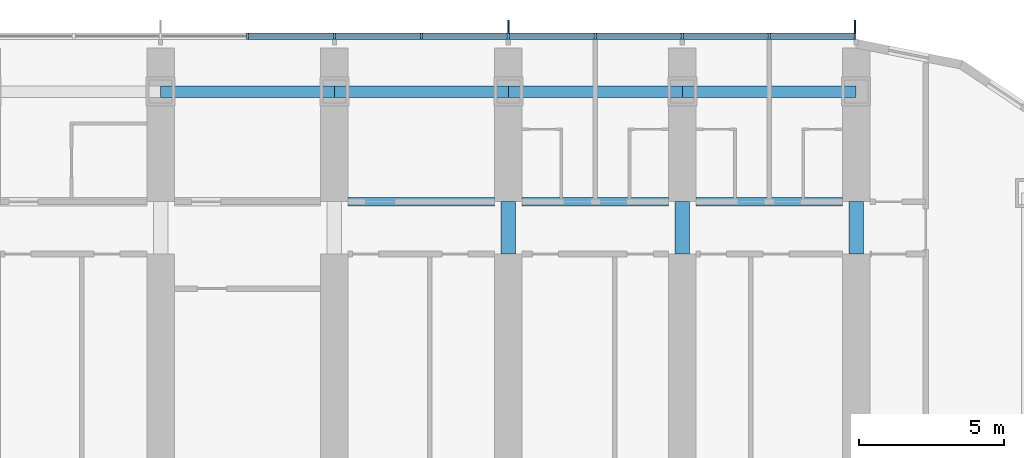
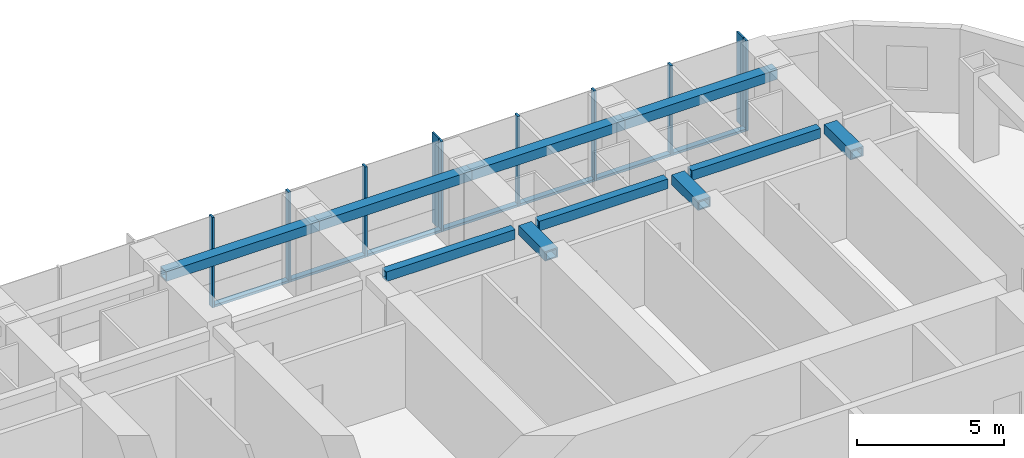
# One storey, part 5 of 21: 17 members, 10 beams, 1 element without a shape of its own.
"""IFC4 building model written with IfcOpenShell, lengths in metres."""

from ifc_helpers import new_model, si_unit, direction, frame, origin, origin_2d, place, context, subcontext, project, spatial, rectangle, hollow_rectangle, extrude, material, material_profile, profile_set, type_object, element, aggregate, save


model = new_model("IFC4")

# Units and contexts
model_context = context("Model", 3, precision=1e-05, world=origin(), true_north=direction((0.0, 1.0)))
body_context = subcontext(model_context, "Body", "Model", "MODEL_VIEW")
ifc_project = project(units=[si_unit("LENGTHUNIT", "METRE"), si_unit("AREAUNIT", "SQUARE_METRE"), si_unit("VOLUMEUNIT", "CUBIC_METRE"), si_unit("PLANEANGLEUNIT", "RADIAN"), si_unit("MASSUNIT", "GRAM", prefix="KILO")], contexts=[model_context])

# Site, building, storey
site_placement = place(None, origin())
site = spatial("IfcSite", under=ifc_project, at=site_placement, CompositionType="ELEMENT")
building_placement = place(site_placement, origin())
building = spatial("IfcBuilding", under=site, at=building_placement, Name="Orbita Commons", CompositionType="ELEMENT")
storey_placement = place(building_placement, frame((0.0, 0.0, 88.14990234375)))
storey = spatial("IfcBuildingStorey", under=building, at=storey_placement, Name="L21", CompositionType="ELEMENT", Elevation=88.14990234375)

# Curtain wall, members
ifc_material_1 = material(Name="Anodised aluminium frame, pale silver", Category="aluminium")
curtain_wall_type = type_object("IfcCurtainWallType", Name="Unitised curtain wall CW-T, vision and spandrel", PredefinedType="NOTDEFINED", material=ifc_material_1)
curtain_wall_placement = place(storey_placement, origin())
curtain_wall = element("IfcCurtainWall", 1, at=curtain_wall_placement, inside=storey, type_object=curtain_wall_type, Name="Curtain wall north L21", PredefinedType="NOTDEFINED")
ifc_material_2 = material(Name="Anodised aluminium, pale silver", Category="aluminium")
ifc_material_profile_1 = material_profile(ifc_material_2, rectangle(XDim=0.080078125, YDim=0.219970703125, at=origin_2d()), Name="AL 80x220")
ifc_profile_set_1 = profile_set([ifc_material_profile_1], Name="Anodised aluminium, pale silver")
member_type_1 = type_object("IfcMemberType", Name="Curtain wall mullion 80x220", PredefinedType="MULLION", material=ifc_profile_set_1)
member_1_placement = place(storey_placement, frame((65.9599609375, 55.510009765625, -0.25), z_axis=(0.0, 0.0, 1.0), x_axis=(-1.0, 0.0, 0.0)))
member_1 = element("IfcMember", 2, at=member_1_placement, type_object=member_type_1, Name="Mullion 1 CW-L21-N", PredefinedType="MULLION", context=body_context, shape_type="SweptSolid", body=[
    extrude(rectangle(XDim=0.080078125, YDim=0.219970703125, at=origin_2d()), origin(), (0.0, 0.0, 1.0), 3.75),
])
member_2_placement = place(storey_placement, frame((63.0, 55.510009765625, -0.25), z_axis=(0.0, 0.0, 1.0), x_axis=(-1.0, 0.0, 0.0)))
member_2 = element("IfcMember", 3, at=member_2_placement, type_object=member_type_1, Name="Mullion 2 CW-L21-N", PredefinedType="MULLION", context=body_context, shape_type="SweptSolid", body=[
    extrude(rectangle(XDim=0.080078125, YDim=0.219970703125, at=origin_2d()), origin(), (0.0, 0.0, 1.0), 3.75),
])
member_3_placement = place(storey_placement, frame((60.0, 55.510009765625, -0.25), z_axis=(0.0, 0.0, 1.0), x_axis=(-1.0, 0.0, 0.0)))
member_3 = element("IfcMember", 4, at=member_3_placement, type_object=member_type_1, Name="Mullion 3 CW-L21-N", PredefinedType="MULLION", context=body_context, shape_type="SweptSolid", body=[
    extrude(rectangle(XDim=0.080078125, YDim=0.219970703125, at=origin_2d()), origin(), (0.0, 0.0, 1.0), 3.75),
])
member_4_placement = place(storey_placement, frame((57.0, 55.510009765625, -0.25), z_axis=(0.0, 0.0, 1.0), x_axis=(-1.0, 0.0, 0.0)))
member_4 = element("IfcMember", 5, at=member_4_placement, type_object=member_type_1, Name="Mullion 4 CW-L21-N", PredefinedType="MULLION", context=body_context, shape_type="SweptSolid", body=[
    extrude(rectangle(XDim=0.080078125, YDim=0.219970703125, at=origin_2d()), origin(), (0.0, 0.0, 1.0), 3.75),
])
member_5_placement = place(storey_placement, frame((54.0, 55.510009765625, -0.25), z_axis=(0.0, 0.0, 1.0), x_axis=(-1.0, 0.0, 0.0)))
member_5 = element("IfcMember", 6, at=member_5_placement, type_object=member_type_1, Name="Mullion 5 CW-L21-N", PredefinedType="MULLION", context=body_context, shape_type="SweptSolid", body=[
    extrude(rectangle(XDim=0.080078125, YDim=0.219970703125, at=origin_2d()), origin(), (0.0, 0.0, 1.0), 3.75),
])
member_6_placement = place(storey_placement, frame((51.0, 55.510009765625, -0.25), z_axis=(0.0, 0.0, 1.0), x_axis=(-1.0, 0.0, 0.0)))
member_6 = element("IfcMember", 7, at=member_6_placement, type_object=member_type_1, Name="Mullion 6 CW-L21-N", PredefinedType="MULLION", context=body_context, shape_type="SweptSolid", body=[
    extrude(rectangle(XDim=0.080078125, YDim=0.219970703125, at=origin_2d()), origin(), (0.0, 0.0, 1.0), 3.75),
])
member_7_placement = place(storey_placement, frame((48.0, 55.510009765625, -0.25), z_axis=(0.0, 0.0, 1.0), x_axis=(-1.0, 0.0, 0.0)))
member_7 = element("IfcMember", 8, at=member_7_placement, type_object=member_type_1, Name="Mullion 7 CW-L21-N", PredefinedType="MULLION", context=body_context, shape_type="SweptSolid", body=[
    extrude(rectangle(XDim=0.080078125, YDim=0.219970703125, at=origin_2d()), origin(), (0.0, 0.0, 1.0), 3.75),
])
member_8_placement = place(storey_placement, frame((45.0, 55.510009765625, -0.25), z_axis=(0.0, 0.0, 1.0), x_axis=(-1.0, 0.0, 0.0)))
member_8 = element("IfcMember", 9, at=member_8_placement, type_object=member_type_1, Name="Mullion 8 CW-L21-N", PredefinedType="MULLION", context=body_context, shape_type="SweptSolid", body=[
    extrude(rectangle(XDim=0.080078125, YDim=0.219970703125, at=origin_2d()), origin(), (0.0, 0.0, 1.0), 3.75),
])
ifc_material_3 = material(Name="Anodised aluminium, pale silver", Category="aluminium")
ifc_material_profile_2 = material_profile(ifc_material_3, rectangle(XDim=0.219970703125, YDim=0.10009765625, at=origin_2d()), Name="AL 220x100")
ifc_profile_set_2 = profile_set([ifc_material_profile_2], Name="Anodised aluminium, pale silver")
member_type_2 = type_object("IfcMemberType", Name="Curtain wall stack transom 220x100", PredefinedType="USERDEFINED", material=ifc_profile_set_2)
member_9_placement = place(storey_placement, frame((65.919921875, 55.510009765625, -0.199951171875), z_axis=(-1.0, 0.0, 0.0), x_axis=(0.0, -1.0, 0.0)))
member_9 = element("IfcMember", 10, at=member_9_placement, type_object=member_type_2, Name="Transom 1.1 CW-L21-N", ObjectType="TRANSOM", PredefinedType="USERDEFINED", context=body_context, shape_type="SweptSolid", body=[
    extrude(rectangle(XDim=0.219970703125, YDim=0.10009765625, at=origin_2d()), origin(), (0.0, 0.0, 1.0), 2.8798828125),
])
member_10_placement = place(storey_placement, frame((62.9599609375, 55.510009765625, -0.199951171875), z_axis=(-1.0, 0.0, 0.0), x_axis=(0.0, -1.0, 0.0)))
member_10 = element("IfcMember", 11, at=member_10_placement, type_object=member_type_2, Name="Transom 2.1 CW-L21-N", ObjectType="TRANSOM", PredefinedType="USERDEFINED", context=body_context, shape_type="SweptSolid", body=[
    extrude(rectangle(XDim=0.219970703125, YDim=0.10009765625, at=origin_2d()), origin(), (0.0, 0.0, 1.0), 2.919921875),
])
member_11_placement = place(storey_placement, frame((59.9599609375, 55.510009765625, -0.199951171875), z_axis=(-1.0, 0.0, 0.0), x_axis=(0.0, -1.0, 0.0)))
member_11 = element("IfcMember", 12, at=member_11_placement, type_object=member_type_2, Name="Transom 3.1 CW-L21-N", ObjectType="TRANSOM", PredefinedType="USERDEFINED", context=body_context, shape_type="SweptSolid", body=[
    extrude(rectangle(XDim=0.219970703125, YDim=0.10009765625, at=origin_2d()), origin(), (0.0, 0.0, 1.0), 2.919921875),
])
member_12_placement = place(storey_placement, frame((56.9599609375, 55.510009765625, -0.199951171875), z_axis=(-1.0, 0.0, 0.0), x_axis=(0.0, -1.0, 0.0)))
member_12 = element("IfcMember", 13, at=member_12_placement, type_object=member_type_2, Name="Transom 4.1 CW-L21-N", ObjectType="TRANSOM", PredefinedType="USERDEFINED", context=body_context, shape_type="SweptSolid", body=[
    extrude(rectangle(XDim=0.219970703125, YDim=0.10009765625, at=origin_2d()), origin(), (0.0, 0.0, 1.0), 2.919921875),
])
member_13_placement = place(storey_placement, frame((53.9599609375, 55.510009765625, -0.199951171875), z_axis=(-1.0, 0.0, 0.0), x_axis=(0.0, -1.0, 0.0)))
member_13 = element("IfcMember", 14, at=member_13_placement, type_object=member_type_2, Name="Transom 5.1 CW-L21-N", ObjectType="TRANSOM", PredefinedType="USERDEFINED", context=body_context, shape_type="SweptSolid", body=[
    extrude(rectangle(XDim=0.219970703125, YDim=0.10009765625, at=origin_2d()), origin(), (0.0, 0.0, 1.0), 2.919921875),
])
member_14_placement = place(storey_placement, frame((50.9599609375, 55.510009765625, -0.199951171875), z_axis=(-1.0, 0.0, 0.0), x_axis=(0.0, -1.0, 0.0)))
member_14 = element("IfcMember", 15, at=member_14_placement, type_object=member_type_2, Name="Transom 6.1 CW-L21-N", ObjectType="TRANSOM", PredefinedType="USERDEFINED", context=body_context, shape_type="SweptSolid", body=[
    extrude(rectangle(XDim=0.219970703125, YDim=0.10009765625, at=origin_2d()), origin(), (0.0, 0.0, 1.0), 2.919921875),
])
member_15_placement = place(storey_placement, frame((47.9599609375, 55.510009765625, -0.199951171875), z_axis=(-1.0, 0.0, 0.0), x_axis=(0.0, -1.0, 0.0)))
member_15 = element("IfcMember", 16, at=member_15_placement, type_object=member_type_2, Name="Transom 7.1 CW-L21-N", ObjectType="TRANSOM", PredefinedType="USERDEFINED", context=body_context, shape_type="SweptSolid", body=[
    extrude(rectangle(XDim=0.219970703125, YDim=0.10009765625, at=origin_2d()), origin(), (0.0, 0.0, 1.0), 2.919921875),
])

# Beams
ifc_material_4 = material(Name="Steel ASTM A572 Gr 50 welded plate", Category="steel")
ifc_material_profile_3 = material_profile(ifc_material_4, hollow_rectangle(XDim=0.300048828125, YDim=0.39990234375, WallThickness=0.0400390625, at=origin_2d()), Name="BOX 400x300x40")
ifc_profile_set_3 = profile_set([ifc_material_profile_3], Name="Steel ASTM A572 Gr 50 welded plate")
beam_type_1 = type_object("IfcBeamType", Name="Steel corridor link BOX 400x300x40", PredefinedType="BEAM", material=ifc_profile_set_3)
for number, where, z_axis, x_axis, name in (
    (17, (48.47509765625, 49.800048828125, 3.300048828125), (1.0, 0.0, 0.0), (0.0, 1.0, 0.0), "Corridor beam NB 9-10 L21"),
    (18, (54.47509765625, 49.800048828125, 3.300048828125), (1.0, 0.0, 0.0), (0.0, 1.0, 0.0), "Corridor beam NB 10-11 L21"),
    (19, (60.47509765625, 49.800048828125, 3.300048828125), (1.0, 0.0, 0.0), (0.0, 1.0, 0.0), "Corridor beam NB 11-12 L21"),
):
    element("IfcBeam", number, at=place(storey_placement, frame(where, z_axis=z_axis, x_axis=x_axis)), inside=storey, type_object=beam_type_1, Name=name, PredefinedType="BEAM", context=body_context, shape_type="SweptSolid", body=[
        extrude(hollow_rectangle(XDim=0.300048828125, YDim=0.39990234375, WallThickness=0.0400390625, at=origin_2d()), origin(), (0.0, 0.0, 1.0), 5.0498046875),
    ])
ifc_material_5 = material(Name="Steel ASTM A572 Gr 50 welded plate", Category="steel")
ifc_material_profile_4 = material_profile(ifc_material_5, hollow_rectangle(XDim=0.5, YDim=0.39990234375, WallThickness=0.050048828125, at=origin_2d()), Name="BOX 400x500x50")
ifc_profile_set_4 = profile_set([ifc_material_profile_4], Name="Steel ASTM A572 Gr 50 welded plate")
beam_type_2 = type_object("IfcBeamType", Name="Steel coupling link BOX 400x500x50", PredefinedType="LINTEL", material=ifc_profile_set_4)
for number, where, z_axis, x_axis, name in (
    (20, (54.0, 48.0, 3.300048828125), (0.0, 1.0, 0.0), (-1.0, 0.0, 0.0), "Coupling beam 10 north L21"),
    (21, (60.0, 48.0, 3.300048828125), (0.0, 1.0, 0.0), (-1.0, 0.0, 0.0), "Coupling beam 11 north L21"),
    (22, (66.0, 48.0, 3.300048828125), (0.0, 1.0, 0.0), (-1.0, 0.0, 0.0), "Coupling beam 12 north L21"),
):
    element("IfcBeam", number, at=place(storey_placement, frame(where, z_axis=z_axis, x_axis=x_axis)), inside=storey, type_object=beam_type_2, Name=name, PredefinedType="LINTEL", context=body_context, shape_type="SweptSolid", body=[
        extrude(hollow_rectangle(XDim=0.5, YDim=0.39990234375, WallThickness=0.050048828125, at=origin_2d()), origin(), (0.0, 0.0, 1.0), 1.800048828125),
    ])
ifc_material_6 = material(Name="Steel ASTM A572 Gr 50 welded plate", Category="steel")
ifc_material_profile_5 = material_profile(ifc_material_6, hollow_rectangle(XDim=0.39990234375, YDim=0.39990234375, WallThickness=0.0400390625, at=origin_2d()), Name="BOX 400x400x40")
ifc_profile_set_5 = profile_set([ifc_material_profile_5], Name="Steel ASTM A572 Gr 50 welded plate")
beam_type_3 = type_object("IfcBeamType", Name="Steel spandrel BOX 400x400x40", PredefinedType="SPANDREL", material=ifc_profile_set_5)
for number, where, z_axis, x_axis, name in (
    (23, (42.0, 53.60009765625, 3.300048828125), (1.0, 0.0, 0.0), (0.0, 1.0, 0.0), "Spandrel beam E 8-9 L21"),
    (24, (48.0, 53.60009765625, 3.300048828125), (1.0, 0.0, 0.0), (0.0, 1.0, 0.0), "Spandrel beam E 9-10 L21"),
    (25, (54.0, 53.60009765625, 3.300048828125), (1.0, 0.0, 0.0), (0.0, 1.0, 0.0), "Spandrel beam E 10-11 L21"),
    (26, (60.0, 53.60009765625, 3.300048828125), (1.0, 0.0, 0.0), (0.0, 1.0, 0.0), "Spandrel beam E 11-12 L21"),
):
    element("IfcBeam", number, at=place(storey_placement, frame(where, z_axis=z_axis, x_axis=x_axis)), inside=storey, type_object=beam_type_3, Name=name, PredefinedType="SPANDREL", context=body_context, shape_type="SweptSolid", body=[
        extrude(hollow_rectangle(XDim=0.39990234375, YDim=0.39990234375, WallThickness=0.0400390625, at=origin_2d()), origin(), (0.0, 0.0, 1.0), 6.0),
    ])

# Member
ifc_material_7 = material(Name="Anodised aluminium, pale silver", Category="aluminium")
ifc_material_profile_6 = material_profile(ifc_material_7, rectangle(XDim=0.06005859375, YDim=0.449951171875, at=origin_2d()), Name="FIN 60x450")
ifc_profile_set_6 = profile_set([ifc_material_profile_6], Name="Anodised aluminium, pale silver")
member_type_3 = type_object("IfcMemberType", Name="Vertical fin 60x450 pale aluminium", PredefinedType="USERDEFINED", material=ifc_profile_set_6)
member_16_placement = place(storey_placement, frame((65.9599609375, 55.844970703125, -0.25), z_axis=(0.0, 0.0, 1.0), x_axis=(-1.0, 0.0, 0.0)))
member_16 = element("IfcMember", 27, at=member_16_placement, type_object=member_type_3, Name="Fin 1 CW-L21-N", ObjectType="FIN", PredefinedType="USERDEFINED", context=body_context, shape_type="SweptSolid", body=[
    extrude(rectangle(XDim=0.06005859375, YDim=0.449951171875, at=origin_2d()), origin(), (0.0, 0.0, 1.0), 3.75),
])

member_17_placement = place(storey_placement, frame((54.0, 55.844970703125, -0.25), z_axis=(0.0, 0.0, 1.0), x_axis=(-1.0, 0.0, 0.0)))
member_17 = element("IfcMember", 28, at=member_17_placement, type_object=member_type_3, Name="Fin 5 CW-L21-N", ObjectType="FIN", PredefinedType="USERDEFINED", context=body_context, shape_type="SweptSolid", body=[
    extrude(rectangle(XDim=0.06005859375, YDim=0.449951171875, at=origin_2d()), origin(), (0.0, 0.0, 1.0), 3.75),
])

aggregate(curtain_wall, [member_1, member_16, member_2, member_3, member_4, member_5, member_17, member_6, member_7, member_8, member_9, member_10, member_11, member_12, member_13, member_14, member_15])

save(model, "model.ifc")
